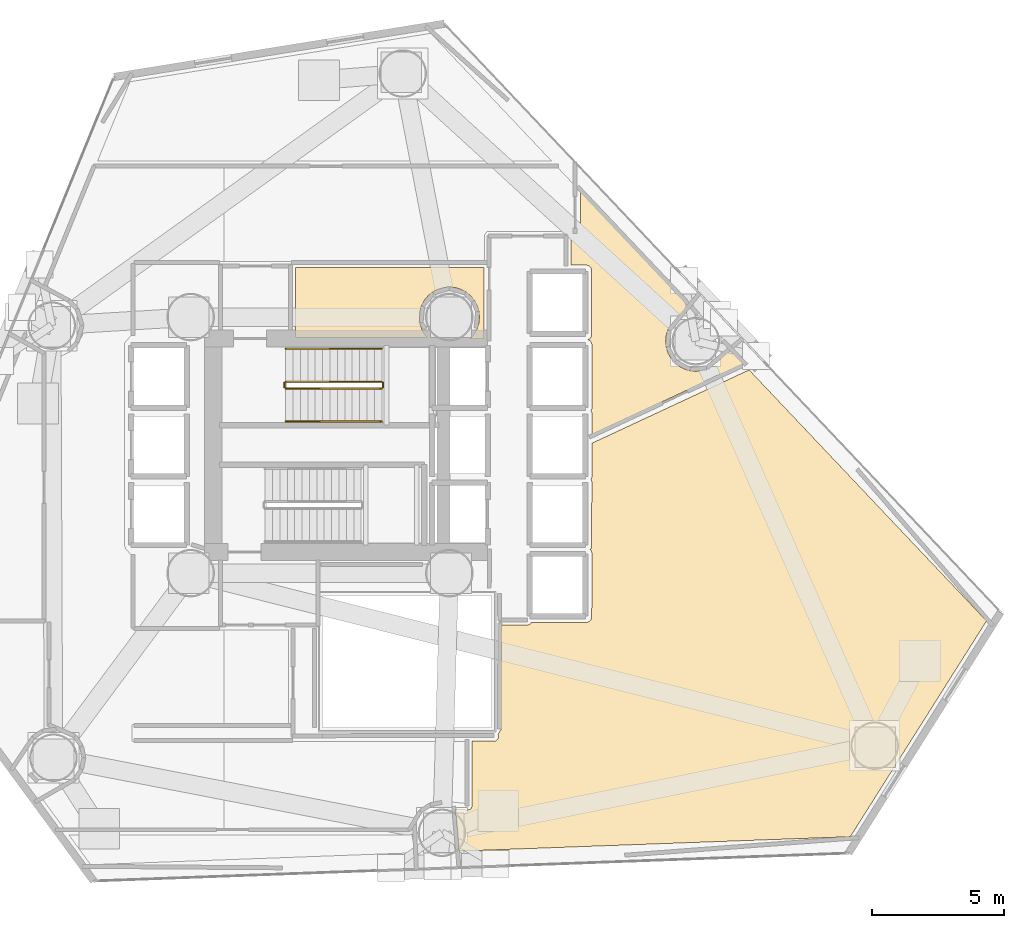
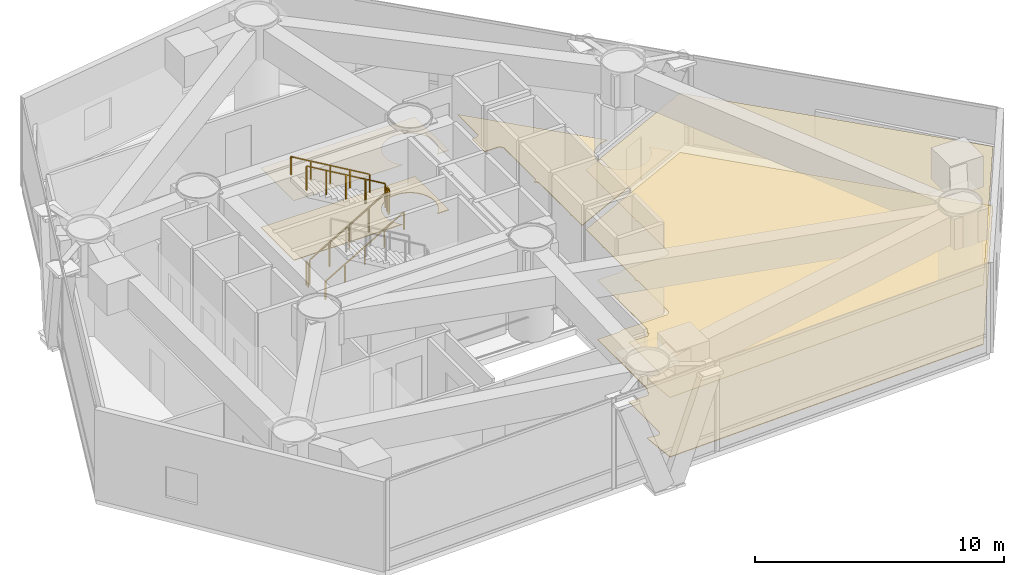
# One storey, part 21 of 22: 6 railings, 5 coverings.
"""IFC4 building model written with IfcOpenShell, lengths in metres."""

from ifc_helpers import new_model, si_unit, direction, frame, origin, origin_2d, place, context, subcontext, project, spatial, polyline, rectangle, outline, extrude, material, layer, layer_set, type_object, element, save


model = new_model("IFC4")

# Units and contexts
model_context = context("Model", 3, precision=1e-05, world=origin(), true_north=direction((0.0, 1.0)))
body_context = subcontext(model_context, "Body", "Model", "MODEL_VIEW")
ifc_project = project(units=[si_unit("LENGTHUNIT", "METRE"), si_unit("AREAUNIT", "SQUARE_METRE"), si_unit("VOLUMEUNIT", "CUBIC_METRE"), si_unit("PLANEANGLEUNIT", "RADIAN"), si_unit("MASSUNIT", "GRAM", prefix="KILO")], contexts=[model_context])

# Site, building, storey
site_placement = place(None, origin())
site = spatial("IfcSite", under=ifc_project, at=site_placement, CompositionType="ELEMENT")
building_placement = place(site_placement, origin())
building = spatial("IfcBuilding", under=site, at=building_placement, Name="Qianvela Tower", CompositionType="ELEMENT")
storey_placement = place(building_placement, frame((0.0, 0.0, 47.89990234375)))
storey = spatial("IfcBuildingStorey", under=building, at=storey_placement, Name="L11", CompositionType="ELEMENT", Elevation=47.89990234375)

# Coverings
ifc_material_1 = material(Name="Perforated Mineral Acoustic Ceiling Tile")
ifc_layer_1 = layer(ifc_material_1, 0.02490234375)
ifc_layer_set_1 = layer_set([ifc_layer_1], Name="Perforated Mineral Acoustic Ceiling Tile")
covering_type_1 = type_object("IfcCoveringType", Name="COV-CEIL-ACOUSTIC-25", PredefinedType="CEILING", material=ifc_layer_set_1)
covering_1_placement = place(storey_placement, frame((0.0, 0.0, 2.9150390625)))
element("IfcCovering", 1, at=covering_1_placement, inside=storey, type_object=covering_type_1, Name="L11 Acoustic Ceiling L11 Air Handling and Smoke Exhaust Plant Room", PredefinedType="CEILING", context=body_context, shape_type="SweptSolid", body=[
    extrude(outline(polyline([(39.174072265625, 14.901123046875), (39.181884765625, 14.90380859375), (39.189208984375, 14.90771484375), (39.1962890625, 14.911865234375), (39.202880859375, 14.9169921875), (39.208984375, 14.9228515625), (39.21435546875, 14.92919921875), (39.218994140625, 14.93603515625), (39.22314453125, 14.943359375), (39.252197265625, 15.00537109375), (39.255126953125, 15.01171875), (39.257080078125, 15.0185546875), (39.2587890625, 15.025390625), (39.259765625, 15.032470703125), (39.260009765625, 15.03955078125), (39.25732421875, 17.490234375), (40.12353515625, 17.493408203125), (40.1318359375, 17.493896484375), (40.139892578125, 17.4951171875), (40.14794921875, 17.497314453125), (40.15576171875, 17.50048828125), (40.1630859375, 17.504150390625), (40.170166015625, 17.5087890625), (40.176513671875, 17.513916015625), (40.1826171875, 17.519775390625), (40.23779296875, 17.580810546875), (40.242919921875, 17.5869140625), (40.247314453125, 17.593505859375), (40.2509765625, 17.6005859375), (40.25390625, 17.60791015625), (40.256103515625, 17.615478515625), (40.2578125, 17.623291015625), (40.25830078125, 17.63134765625), (40.25830078125, 17.63916015625), (40.251220703125, 17.757080078125), (40.34228515625, 17.903076171875), (40.34619140625, 17.909423828125), (40.34912109375, 17.916259765625), (40.3515625, 17.92333984375), (40.353271484375, 17.930419921875), (40.354248046875, 17.937744140625), (40.3544921875, 17.9453125), (40.35986328125, 21.889892578125), (41.367919921875, 21.890380859375), (41.375732421875, 21.890869140625), (41.383544921875, 21.891845703125), (41.39111328125, 21.893798828125), (41.3984375, 21.896484375), (41.405517578125, 21.89990234375), (41.45947265625, 21.9287109375), (41.46630859375, 21.932861328125), (41.472900390625, 21.9375), (41.478759765625, 21.943115234375), (41.48388671875, 21.948974609375), (41.48876953125, 21.955322265625), (41.492919921875, 21.96240234375), (41.49609375, 21.969482421875), (41.498779296875, 21.97705078125), (41.49951171875, 21.97998046875), (43.59375, 21.980712890625), (43.6015625, 21.981201171875), (43.609375, 21.982177734375), (43.616943359375, 21.984130859375), (43.624267578125, 21.98681640625), (43.699462890625, 22.017822265625), (43.70654296875, 22.021240234375), (43.71337890625, 22.025390625), (43.719482421875, 22.02978515625), (43.725341796875, 22.03515625), (43.730712890625, 22.041015625), (43.7353515625, 22.04736328125), (43.780517578125, 22.114990234375), (43.784423828125, 22.12158203125), (43.787841796875, 22.128662109375), (43.79052734375, 22.135986328125), (43.79248046875, 22.1435546875), (43.793701171875, 22.1513671875), (43.7939453125, 22.1591796875), (43.800048828125, 24.599853515625), (43.7998046875, 24.606689453125), (43.798828125, 24.613525390625), (43.79736328125, 24.620361328125), (43.79541015625, 24.626953125), (43.763427734375, 24.7158203125), (43.760498046875, 24.722900390625), (43.7568359375, 24.72998046875), (43.75244140625, 24.736572265625), (43.74755859375, 24.742431640625), (43.741943359375, 24.748046875), (43.73583984375, 24.753173828125), (43.730224609375, 24.7568359375), (43.74462890625, 24.765380859375), (43.75146484375, 24.77001953125), (43.7578125, 24.775146484375), (43.763427734375, 24.781005859375), (43.7685546875, 24.787353515625), (43.77294921875, 24.794189453125), (43.776611328125, 24.8017578125), (43.779541015625, 24.809326171875), (43.78173828125, 24.817138671875), (43.782958984375, 24.8251953125), (43.783447265625, 24.83349609375), (43.800048828125, 27.299560546875), (43.799560546875, 27.3076171875), (43.798583984375, 27.315673828125), (43.79638671875, 27.323486328125), (43.793701171875, 27.3310546875), (43.7646484375, 27.39990234375), (43.793701171875, 27.468994140625), (43.79638671875, 27.476318359375), (43.79833984375, 27.484130859375), (43.799560546875, 27.491943359375), (43.800048828125, 27.5), (43.800048828125, 28.772216796875), (49.756591796875, 31.5498046875), (58.750244140625, 22.04150390625), (53.58984375, 13.866943359375), (38.760009765625, 13.31982421875), (38.619384765625, 14.926025390625), (39.084228515625, 14.880126953125), (39.09228515625, 14.8798828125), (39.10009765625, 14.880126953125), (39.10791015625, 14.88134765625), (39.115478515625, 14.88330078125), (39.174072265625, 14.901123046875)])), origin(), (0.0, 0.0, 1.0), 0.025146484375),
])
covering_2_placement = place(storey_placement, frame((0.0, 0.0, 2.9150390625)))
element("IfcCovering", 2, at=covering_2_placement, inside=storey, type_object=covering_type_1, Name="L11 Acoustic Ceiling L11 Hydronic Heat Exchanger and Fire Pump Room", PredefinedType="CEILING", context=body_context, shape_type="SweptSolid", body=[
    extrude(outline(polyline([(32.580078125, 32.77001953125), (32.580078125, 35.419921875), (39.719970703125, 35.419921875), (39.719970703125, 32.719970703125), (39.175537109375, 32.719970703125), (39.197509765625, 32.736328125), (39.204833984375, 32.74267578125), (39.21142578125, 32.749755859375), (39.34326171875, 32.910400390625), (39.347900390625, 32.91650390625), (39.351806640625, 32.92333984375), (39.449951171875, 33.106689453125), (39.453125, 33.11376953125), (39.455810546875, 33.12109375), (39.51611328125, 33.320068359375), (39.51806640625, 33.32763671875), (39.519287109375, 33.33544921875), (39.53955078125, 33.542236328125), (39.5400390625, 33.550048828125), (39.53955078125, 33.557861328125), (39.519287109375, 33.7646484375), (39.51806640625, 33.7724609375), (39.51611328125, 33.780029296875), (39.455810546875, 33.97900390625), (39.453125, 33.986328125), (39.449951171875, 33.993408203125), (39.351806640625, 34.176513671875), (39.347900390625, 34.183349609375), (39.34326171875, 34.189697265625), (39.21142578125, 34.350341796875), (39.2060546875, 34.356201171875), (39.2001953125, 34.361328125), (39.039794921875, 34.4931640625), (39.033447265625, 34.497802734375), (39.026611328125, 34.501953125), (38.843505859375, 34.599853515625), (38.836181640625, 34.603271484375), (38.828857421875, 34.60595703125), (38.6298828125, 34.666259765625), (38.622314453125, 34.668212890625), (38.614501953125, 34.669189453125), (38.40771484375, 34.689697265625), (38.39990234375, 34.68994140625), (38.39208984375, 34.689697265625), (38.185302734375, 34.669189453125), (38.177490234375, 34.668212890625), (38.169921875, 34.666259765625), (37.97119140625, 34.60595703125), (37.963623046875, 34.603271484375), (37.95654296875, 34.599853515625), (37.7734375, 34.501953125), (37.7666015625, 34.497802734375), (37.76025390625, 34.4931640625), (37.599609375, 34.361328125), (37.593994140625, 34.356201171875), (37.588623046875, 34.350341796875), (37.456787109375, 34.189697265625), (37.4521484375, 34.183349609375), (37.447998046875, 34.176513671875), (37.35009765625, 33.993408203125), (37.3466796875, 33.986328125), (37.343994140625, 33.97900390625), (37.28369140625, 33.780029296875), (37.281982421875, 33.7724609375), (37.28076171875, 33.7646484375), (37.260498046875, 33.557861328125), (37.260009765625, 33.550048828125), (37.260498046875, 33.542236328125), (37.28076171875, 33.33544921875), (37.281982421875, 33.32763671875), (37.28369140625, 33.320068359375), (37.343994140625, 33.12109375), (37.3466796875, 33.11376953125), (37.35009765625, 33.106689453125), (37.447998046875, 32.92333984375), (37.451904296875, 32.916748046875), (37.45654296875, 32.91064453125), (37.461669921875, 32.905029296875), (37.59423828125, 32.77001953125), (32.580078125, 32.77001953125)])), origin(), (0.0, 0.0, 1.0), 0.025146484375),
])
ifc_material_2 = material(Name="Honed Stone Terrazzo Flooring", Category="masonry")
ifc_layer_2 = layer(ifc_material_2, 0.030029296875)
ifc_layer_set_2 = layer_set([ifc_layer_2], Name="Honed Stone Terrazzo Flooring")
covering_type_2 = type_object("IfcCoveringType", Name="COV-FLOOR-TERRAZZO-30", PredefinedType="FLOORING", material=ifc_layer_set_2)
covering_3_placement = place(storey_placement, origin())
element("IfcCovering", 3, at=covering_3_placement, inside=storey, type_object=covering_type_2, Name="L11 Finish Flooring L11 Fire Refuge Area 4", PredefinedType="FLOORING", context=body_context, shape_type="SweptSolid", body=[
    extrude(outline(polyline([(43.644287109375, 32.697998046875), (43.69580078125, 32.716552734375), (43.702392578125, 32.71923828125), (43.708984375, 32.72265625), (43.715087890625, 32.7265625), (43.720947265625, 32.73095703125), (43.726318359375, 32.736083984375), (43.73095703125, 32.741455078125), (43.7353515625, 32.747314453125), (43.780517578125, 32.81494140625), (43.784423828125, 32.821533203125), (43.787841796875, 32.82861328125), (43.79052734375, 32.836181640625), (43.79248046875, 32.84375), (43.793701171875, 32.8515625), (43.7939453125, 32.859375), (43.7939453125, 35.340576171875), (43.793701171875, 35.348388671875), (43.79248046875, 35.356201171875), (43.79052734375, 35.364013671875), (43.787841796875, 35.371337890625), (43.784423828125, 35.37841796875), (43.780517578125, 35.385009765625), (43.7353515625, 35.45263671875), (43.730712890625, 35.458984375), (43.725341796875, 35.46484375), (43.719482421875, 35.47021484375), (43.71337890625, 35.474609375), (43.70654296875, 35.478759765625), (43.699462890625, 35.482177734375), (43.624267578125, 35.51318359375), (43.616943359375, 35.515869140625), (43.609375, 35.517822265625), (43.6015625, 35.518798828125), (43.59375, 35.519287109375), (43.0, 35.52001953125), (43.00927734375, 36.55224609375), (43.21630859375, 36.553466796875), (43.224365234375, 36.553955078125), (43.232666015625, 36.555419921875), (43.240478515625, 36.5576171875), (43.248291015625, 36.560546875), (43.255615234375, 36.564208984375), (43.2626953125, 36.56884765625), (43.26904296875, 36.573974609375), (43.27490234375, 36.579833984375), (43.3388671875, 36.650390625), (43.34423828125, 36.656982421875), (43.348876953125, 36.6640625), (43.3525390625, 36.67138671875), (43.355712890625, 36.67919921875), (43.35791015625, 36.6875), (43.359130859375, 36.69580078125), (43.359619140625, 36.7041015625), (43.360107421875, 38.3125), (47.665283203125, 33.7607421875), (47.52685546875, 33.756591796875), (47.519775390625, 33.756103515625), (47.5126953125, 33.7548828125), (47.506103515625, 33.753173828125), (47.30712890625, 33.69287109375), (47.2998046875, 33.690185546875), (47.29248046875, 33.68701171875), (47.109375, 33.5888671875), (47.1025390625, 33.5849609375), (47.09619140625, 33.580078125), (46.935791015625, 33.448486328125), (46.929931640625, 33.443115234375), (46.924560546875, 33.437255859375), (46.792724609375, 33.276611328125), (46.7880859375, 33.2705078125), (46.7841796875, 33.263671875), (46.68603515625, 33.080322265625), (46.682861328125, 33.0732421875), (46.68017578125, 33.06591796875), (46.619873046875, 32.866943359375), (46.617919921875, 32.859375), (46.61669921875, 32.8515625), (46.596435546875, 32.644775390625), (46.595947265625, 32.636962890625), (46.596435546875, 32.629150390625), (46.61669921875, 32.42236328125), (46.617919921875, 32.41455078125), (46.619873046875, 32.406982421875), (46.68017578125, 32.2080078125), (46.682861328125, 32.20068359375), (46.68603515625, 32.193603515625), (46.7841796875, 32.010498046875), (46.7880859375, 32.003662109375), (46.792724609375, 31.997314453125), (46.924560546875, 31.836669921875), (46.929931640625, 31.830810546875), (46.935791015625, 31.82568359375), (47.09619140625, 31.69384765625), (47.1025390625, 31.689208984375), (47.109375, 31.68505859375), (47.29248046875, 31.587158203125), (47.2998046875, 31.583740234375), (47.30712890625, 31.5810546875), (47.506103515625, 31.520751953125), (47.513671875, 31.518798828125), (47.521484375, 31.517822265625), (47.728271484375, 31.497314453125), (47.736083984375, 31.4970703125), (47.743896484375, 31.497314453125), (47.95068359375, 31.517822265625), (47.95849609375, 31.518798828125), (47.966064453125, 31.520751953125), (48.164794921875, 31.5810546875), (48.17236328125, 31.583740234375), (48.179443359375, 31.587158203125), (48.362548828125, 31.68505859375), (48.369384765625, 31.689208984375), (48.375732421875, 31.69384765625), (48.536376953125, 31.82568359375), (48.5419921875, 31.830810546875), (48.54736328125, 31.836669921875), (48.67919921875, 31.997314453125), (48.683837890625, 32.003662109375), (48.68798828125, 32.010498046875), (48.785888671875, 32.193603515625), (48.789306640625, 32.20068359375), (48.7919921875, 32.2080078125), (48.852294921875, 32.406982421875), (48.8544921875, 32.416015625), (48.85546875, 32.42529296875), (48.85986328125, 32.497802734375), (49.539306640625, 31.779541015625), (43.800048828125, 29.103271484375), (43.800048828125, 29.89990234375), (43.799560546875, 29.907958984375), (43.79833984375, 29.915771484375), (43.79638671875, 29.923583984375), (43.793701171875, 29.93115234375), (43.7646484375, 30.0), (43.793701171875, 30.06884765625), (43.79638671875, 30.076416015625), (43.79833984375, 30.084228515625), (43.799560546875, 30.092041015625), (43.800048828125, 30.10009765625), (43.800048828125, 32.5), (43.799560546875, 32.509033203125), (43.7978515625, 32.518310546875), (43.79541015625, 32.527099609375), (43.763427734375, 32.61572265625), (43.760498046875, 32.623046875), (43.7568359375, 32.6298828125), (43.75244140625, 32.636474609375), (43.74755859375, 32.642578125), (43.741943359375, 32.648193359375), (43.73583984375, 32.653076171875), (43.729248046875, 32.657470703125), (43.722412109375, 32.6611328125), (43.644287109375, 32.697998046875)])), origin(), (0.0, 0.0, 1.0), 0.030029296875),
])
covering_4_placement = place(storey_placement, origin())
element("IfcCovering", 4, at=covering_4_placement, inside=storey, type_object=covering_type_2, Name="L11 Finish Flooring L11 Air Handling and Smoke Exhaust Plant Room", PredefinedType="FLOORING", context=body_context, shape_type="SweptSolid", body=[
    extrude(outline(polyline([(39.174072265625, 14.901123046875), (39.181884765625, 14.90380859375), (39.189208984375, 14.90771484375), (39.1962890625, 14.911865234375), (39.202880859375, 14.9169921875), (39.208984375, 14.9228515625), (39.21435546875, 14.92919921875), (39.218994140625, 14.93603515625), (39.22314453125, 14.943359375), (39.252197265625, 15.00537109375), (39.255126953125, 15.01171875), (39.257080078125, 15.0185546875), (39.2587890625, 15.025390625), (39.259765625, 15.032470703125), (39.260009765625, 15.03955078125), (39.25732421875, 17.490234375), (40.12353515625, 17.493408203125), (40.1318359375, 17.493896484375), (40.139892578125, 17.4951171875), (40.14794921875, 17.497314453125), (40.15576171875, 17.50048828125), (40.1630859375, 17.504150390625), (40.170166015625, 17.5087890625), (40.176513671875, 17.513916015625), (40.1826171875, 17.519775390625), (40.23779296875, 17.580810546875), (40.242919921875, 17.5869140625), (40.247314453125, 17.593505859375), (40.2509765625, 17.6005859375), (40.25390625, 17.60791015625), (40.256103515625, 17.615478515625), (40.2578125, 17.623291015625), (40.25830078125, 17.63134765625), (40.25830078125, 17.63916015625), (40.251220703125, 17.757080078125), (40.34228515625, 17.903076171875), (40.34619140625, 17.909423828125), (40.34912109375, 17.916259765625), (40.3515625, 17.92333984375), (40.353271484375, 17.930419921875), (40.354248046875, 17.937744140625), (40.3544921875, 17.9453125), (40.35986328125, 21.889892578125), (41.367919921875, 21.890380859375), (41.375732421875, 21.890869140625), (41.383544921875, 21.891845703125), (41.39111328125, 21.893798828125), (41.3984375, 21.896484375), (41.405517578125, 21.89990234375), (41.45947265625, 21.9287109375), (41.46630859375, 21.932861328125), (41.472900390625, 21.9375), (41.478759765625, 21.943115234375), (41.48388671875, 21.948974609375), (41.48876953125, 21.955322265625), (41.492919921875, 21.96240234375), (41.49609375, 21.969482421875), (41.498779296875, 21.97705078125), (41.49951171875, 21.97998046875), (43.59375, 21.980712890625), (43.6015625, 21.981201171875), (43.609375, 21.982177734375), (43.616943359375, 21.984130859375), (43.624267578125, 21.98681640625), (43.699462890625, 22.017822265625), (43.70654296875, 22.021240234375), (43.71337890625, 22.025390625), (43.719482421875, 22.02978515625), (43.725341796875, 22.03515625), (43.730712890625, 22.041015625), (43.7353515625, 22.04736328125), (43.780517578125, 22.114990234375), (43.784423828125, 22.12158203125), (43.787841796875, 22.128662109375), (43.79052734375, 22.135986328125), (43.79248046875, 22.1435546875), (43.793701171875, 22.1513671875), (43.7939453125, 22.1591796875), (43.800048828125, 24.599853515625), (43.7998046875, 24.606689453125), (43.798828125, 24.613525390625), (43.79736328125, 24.620361328125), (43.79541015625, 24.626953125), (43.763427734375, 24.7158203125), (43.760498046875, 24.722900390625), (43.7568359375, 24.72998046875), (43.75244140625, 24.736572265625), (43.74755859375, 24.742431640625), (43.741943359375, 24.748046875), (43.73583984375, 24.753173828125), (43.730224609375, 24.7568359375), (43.74462890625, 24.765380859375), (43.75146484375, 24.77001953125), (43.7578125, 24.775146484375), (43.763427734375, 24.781005859375), (43.7685546875, 24.787353515625), (43.77294921875, 24.794189453125), (43.776611328125, 24.8017578125), (43.779541015625, 24.809326171875), (43.78173828125, 24.817138671875), (43.782958984375, 24.8251953125), (43.783447265625, 24.83349609375), (43.800048828125, 27.299560546875), (43.799560546875, 27.3076171875), (43.798583984375, 27.315673828125), (43.79638671875, 27.323486328125), (43.793701171875, 27.3310546875), (43.7646484375, 27.39990234375), (43.793701171875, 27.468994140625), (43.79638671875, 27.476318359375), (43.79833984375, 27.484130859375), (43.799560546875, 27.491943359375), (43.800048828125, 27.5), (43.800048828125, 28.772216796875), (49.756591796875, 31.5498046875), (58.750244140625, 22.04150390625), (53.58984375, 13.866943359375), (38.760009765625, 13.31982421875), (38.619384765625, 14.926025390625), (39.084228515625, 14.880126953125), (39.09228515625, 14.8798828125), (39.10009765625, 14.880126953125), (39.10791015625, 14.88134765625), (39.115478515625, 14.88330078125), (39.174072265625, 14.901123046875)])), origin(), (0.0, 0.0, 1.0), 0.030029296875),
])
covering_5_placement = place(storey_placement, origin())
element("IfcCovering", 5, at=covering_5_placement, inside=storey, type_object=covering_type_2, Name="L11 Finish Flooring L11 Hydronic Heat Exchanger and Fire Pump Room", PredefinedType="FLOORING", context=body_context, shape_type="SweptSolid", body=[
    extrude(outline(polyline([(32.580078125, 32.77001953125), (32.580078125, 35.419921875), (39.719970703125, 35.419921875), (39.719970703125, 32.719970703125), (39.175537109375, 32.719970703125), (39.197509765625, 32.736328125), (39.204833984375, 32.74267578125), (39.21142578125, 32.749755859375), (39.34326171875, 32.910400390625), (39.347900390625, 32.91650390625), (39.351806640625, 32.92333984375), (39.449951171875, 33.106689453125), (39.453125, 33.11376953125), (39.455810546875, 33.12109375), (39.51611328125, 33.320068359375), (39.51806640625, 33.32763671875), (39.519287109375, 33.33544921875), (39.53955078125, 33.542236328125), (39.5400390625, 33.550048828125), (39.53955078125, 33.557861328125), (39.519287109375, 33.7646484375), (39.51806640625, 33.7724609375), (39.51611328125, 33.780029296875), (39.455810546875, 33.97900390625), (39.453125, 33.986328125), (39.449951171875, 33.993408203125), (39.351806640625, 34.176513671875), (39.347900390625, 34.183349609375), (39.34326171875, 34.189697265625), (39.21142578125, 34.350341796875), (39.2060546875, 34.356201171875), (39.2001953125, 34.361328125), (39.039794921875, 34.4931640625), (39.033447265625, 34.497802734375), (39.026611328125, 34.501953125), (38.843505859375, 34.599853515625), (38.836181640625, 34.603271484375), (38.828857421875, 34.60595703125), (38.6298828125, 34.666259765625), (38.622314453125, 34.668212890625), (38.614501953125, 34.669189453125), (38.40771484375, 34.689697265625), (38.39990234375, 34.68994140625), (38.39208984375, 34.689697265625), (38.185302734375, 34.669189453125), (38.177490234375, 34.668212890625), (38.169921875, 34.666259765625), (37.97119140625, 34.60595703125), (37.963623046875, 34.603271484375), (37.95654296875, 34.599853515625), (37.7734375, 34.501953125), (37.7666015625, 34.497802734375), (37.76025390625, 34.4931640625), (37.599609375, 34.361328125), (37.593994140625, 34.356201171875), (37.588623046875, 34.350341796875), (37.456787109375, 34.189697265625), (37.4521484375, 34.183349609375), (37.447998046875, 34.176513671875), (37.35009765625, 33.993408203125), (37.3466796875, 33.986328125), (37.343994140625, 33.97900390625), (37.28369140625, 33.780029296875), (37.281982421875, 33.7724609375), (37.28076171875, 33.7646484375), (37.260498046875, 33.557861328125), (37.260009765625, 33.550048828125), (37.260498046875, 33.542236328125), (37.28076171875, 33.33544921875), (37.281982421875, 33.32763671875), (37.28369140625, 33.320068359375), (37.343994140625, 33.12109375), (37.3466796875, 33.11376953125), (37.35009765625, 33.106689453125), (37.447998046875, 32.92333984375), (37.451904296875, 32.916748046875), (37.45654296875, 32.91064453125), (37.461669921875, 32.905029296875), (37.59423828125, 32.77001953125), (32.580078125, 32.77001953125)])), origin(), (0.0, 0.0, 1.0), 0.030029296875),
])

# Railings
ifc_material_3 = material(Name="Painted Tubular Steel Q355B", Category="steel")
railing_type_1 = type_object("IfcRailingType", Name="RL-STAIR-GUARD-1200", PredefinedType="GUARDRAIL", material=ifc_material_3)
railing_1_placement = place(storey_placement, frame((32.199951171875, 30.840087890625, 0.164306640625)))
element("IfcRailing", 6, at=railing_1_placement, inside=storey, type_object=railing_type_1, Name="L11 ST-1 stair guard 1", PredefinedType="GUARDRAIL", context=body_context, shape_type="SweptSolid", body=[
    extrude(rectangle(XDim=0.050048828125, YDim=0.0400390625, at=origin_2d()), frame((0.0, 0.0, 1.179931640625), z_axis=(0.862504707072, 0.0, 0.506049039401), x_axis=(0.0, 1.0, 0.0)), (0.0, 0.0, 1.0), 4.220458984375),
    extrude(rectangle(XDim=0.050048828125, YDim=0.050048828125, at=origin_2d()), origin(), (0.0, 0.0, 1.0), 1.159912109375),
    extrude(rectangle(XDim=0.050048828125, YDim=0.050048828125, at=origin_2d()), frame((0.91015625, 0.0, 0.533935546875)), (0.0, 0.0, 1.0), 1.159912109375),
    extrude(rectangle(XDim=0.050048828125, YDim=0.050048828125, at=origin_2d()), frame((1.820068359375, 0.0, 1.06787109375)), (0.0, 0.0, 1.0), 1.159912109375),
    extrude(rectangle(XDim=0.050048828125, YDim=0.050048828125, at=origin_2d()), frame((2.72998046875, 0.0, 1.601806640625)), (0.0, 0.0, 1.0), 1.159912109375),
    extrude(rectangle(XDim=0.050048828125, YDim=0.050048828125, at=origin_2d()), frame((3.64013671875, 0.0, 2.1357421875)), (0.0, 0.0, 1.0), 1.159912109375),
])
railing_2_placement = place(storey_placement, frame((35.889892578125, 30.889892578125, 2.300048828125)))
element("IfcRailing", 7, at=railing_2_placement, inside=storey, type_object=railing_type_1, Name="L11 ST-1 stair guard 2", PredefinedType="GUARDRAIL", context=body_context, shape_type="SweptSolid", body=[
    extrude(rectangle(XDim=0.050048828125, YDim=0.0400390625, at=origin_2d()), frame((0.0, 0.0, 1.179931640625), z_axis=(0.0, 1.0, 0.0), x_axis=(-1.0, 0.0, 0.0)), (0.0, 0.0, 1.0), 0.16015625),
    extrude(rectangle(XDim=0.050048828125, YDim=0.050048828125, at=origin_2d()), origin(), (0.0, 0.0, 1.0), 1.159912109375),
    extrude(rectangle(XDim=0.050048828125, YDim=0.050048828125, at=origin_2d()), frame((0.0, 0.16015625, 0.0)), (0.0, 0.0, 1.0), 1.159912109375),
])
railing_3_placement = place(storey_placement, frame((35.840087890625, 31.10009765625, 2.46435546875)))
element("IfcRailing", 8, at=railing_3_placement, inside=storey, type_object=railing_type_1, Name="L11 ST-1 stair guard 3", PredefinedType="GUARDRAIL", context=body_context, shape_type="SweptSolid", body=[
    extrude(rectangle(XDim=0.050048828125, YDim=0.0400390625, at=origin_2d()), frame((0.0, 0.0, 1.179931640625), z_axis=(-0.862504707072, 0.0, 0.506049039401), x_axis=(0.0, -1.0, 0.0)), (0.0, 0.0, 1.0), 4.220458984375),
    extrude(rectangle(XDim=0.050048828125, YDim=0.050048828125, at=origin_2d()), origin(), (0.0, 0.0, 1.0), 1.159912109375),
    extrude(rectangle(XDim=0.050048828125, YDim=0.050048828125, at=origin_2d()), frame((-0.91015625, 0.0, 0.533935546875)), (0.0, 0.0, 1.0), 1.159912109375),
    extrude(rectangle(XDim=0.050048828125, YDim=0.050048828125, at=origin_2d()), frame((-1.820068359375, 0.0, 1.06787109375)), (0.0, 0.0, 1.0), 1.159912109375),
    extrude(rectangle(XDim=0.050048828125, YDim=0.050048828125, at=origin_2d()), frame((-2.72998046875, 0.0, 1.601806640625)), (0.0, 0.0, 1.0), 1.159912109375),
    extrude(rectangle(XDim=0.050048828125, YDim=0.050048828125, at=origin_2d()), frame((-3.64013671875, 0.0, 2.1357421875)), (0.0, 0.0, 1.0), 1.159912109375),
])
railing_4_placement = place(storey_placement, frame((32.14990234375, 30.889892578125, 0.0)))
element("IfcRailing", 9, at=railing_4_placement, inside=storey, type_object=railing_type_1, Name="L11 ST-1 stair guard 4", PredefinedType="GUARDRAIL", context=body_context, shape_type="SweptSolid", body=[
    extrude(rectangle(XDim=0.050048828125, YDim=0.0400390625, at=origin_2d()), frame((0.0, 0.0, 1.179931640625), z_axis=(0.0, 1.0, 0.0), x_axis=(-1.0, 0.0, 0.0)), (0.0, 0.0, 1.0), 0.16015625),
    extrude(rectangle(XDim=0.050048828125, YDim=0.050048828125, at=origin_2d()), origin(), (0.0, 0.0, 1.0), 1.159912109375),
    extrude(rectangle(XDim=0.050048828125, YDim=0.050048828125, at=origin_2d()), frame((0.0, 0.16015625, 0.0)), (0.0, 0.0, 1.0), 1.159912109375),
])
ifc_material_4 = material(Name="Brushed Stainless Steel 304", Category="steel")
railing_type_2 = type_object("IfcRailingType", Name="RL-STAIR-HANDRAIL-900", PredefinedType="HANDRAIL", material=ifc_material_4)
railing_5_placement = place(storey_placement, frame((32.199951171875, 29.590087890625, 0.164306640625)))
element("IfcRailing", 10, at=railing_5_placement, inside=storey, type_object=railing_type_2, Name="L11 ST-1 stair handrail 1", PredefinedType="HANDRAIL", context=body_context, shape_type="SweptSolid", body=[
    extrude(rectangle(XDim=0.050048828125, YDim=0.0400390625, at=origin_2d()), frame((0.0, 0.0, 0.8798828125), z_axis=(0.862504707072, 0.0, 0.506049039401), x_axis=(0.0, 1.0, 0.0)), (0.0, 0.0, 1.0), 4.220458984375),
    extrude(rectangle(XDim=0.050048828125, YDim=0.050048828125, at=origin_2d()), origin(), (0.0, 0.0, 1.0), 0.85986328125),
    extrude(rectangle(XDim=0.050048828125, YDim=0.050048828125, at=origin_2d()), frame((0.91015625, 0.0, 0.533935546875)), (0.0, 0.0, 1.0), 0.85986328125),
    extrude(rectangle(XDim=0.050048828125, YDim=0.050048828125, at=origin_2d()), frame((1.820068359375, 0.0, 1.06787109375)), (0.0, 0.0, 1.0), 0.85986328125),
    extrude(rectangle(XDim=0.050048828125, YDim=0.050048828125, at=origin_2d()), frame((2.72998046875, 0.0, 1.601806640625)), (0.0, 0.0, 1.0), 0.85986328125),
    extrude(rectangle(XDim=0.050048828125, YDim=0.050048828125, at=origin_2d()), frame((3.64013671875, 0.0, 2.1357421875)), (0.0, 0.0, 1.0), 0.85986328125),
])
railing_6_placement = place(storey_placement, frame((35.840087890625, 32.35009765625, 2.46435546875)))
element("IfcRailing", 11, at=railing_6_placement, inside=storey, type_object=railing_type_2, Name="L11 ST-1 stair handrail 2", PredefinedType="HANDRAIL", context=body_context, shape_type="SweptSolid", body=[
    extrude(rectangle(XDim=0.050048828125, YDim=0.0400390625, at=origin_2d()), frame((0.0, 0.0, 0.8798828125), z_axis=(-0.862504707072, 0.0, 0.506049039401), x_axis=(0.0, -1.0, 0.0)), (0.0, 0.0, 1.0), 4.220458984375),
    extrude(rectangle(XDim=0.050048828125, YDim=0.050048828125, at=origin_2d()), origin(), (0.0, 0.0, 1.0), 0.85986328125),
    extrude(rectangle(XDim=0.050048828125, YDim=0.050048828125, at=origin_2d()), frame((-0.91015625, 0.0, 0.533935546875)), (0.0, 0.0, 1.0), 0.85986328125),
    extrude(rectangle(XDim=0.050048828125, YDim=0.050048828125, at=origin_2d()), frame((-1.820068359375, 0.0, 1.06787109375)), (0.0, 0.0, 1.0), 0.85986328125),
    extrude(rectangle(XDim=0.050048828125, YDim=0.050048828125, at=origin_2d()), frame((-2.72998046875, 0.0, 1.601806640625)), (0.0, 0.0, 1.0), 0.85986328125),
    extrude(rectangle(XDim=0.050048828125, YDim=0.050048828125, at=origin_2d()), frame((-3.64013671875, 0.0, 2.1357421875)), (0.0, 0.0, 1.0), 0.85986328125),
])

save(model, "model.ifc")
